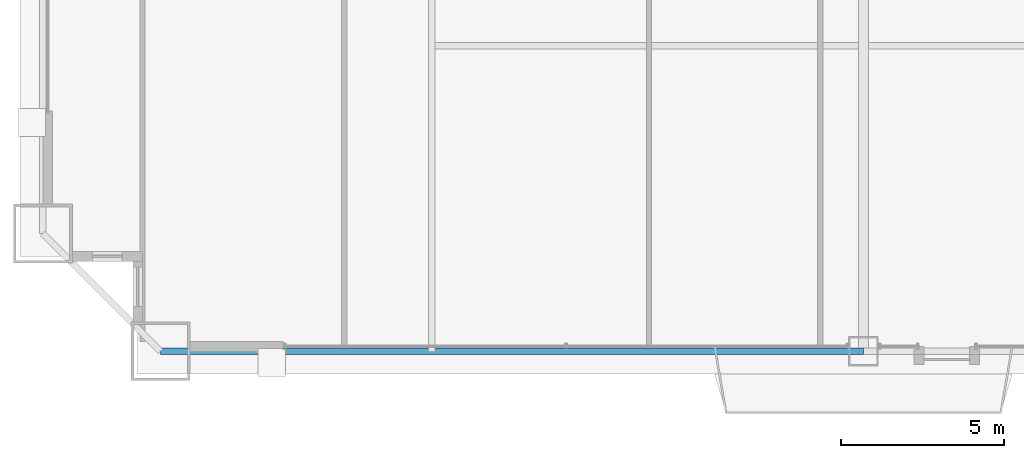
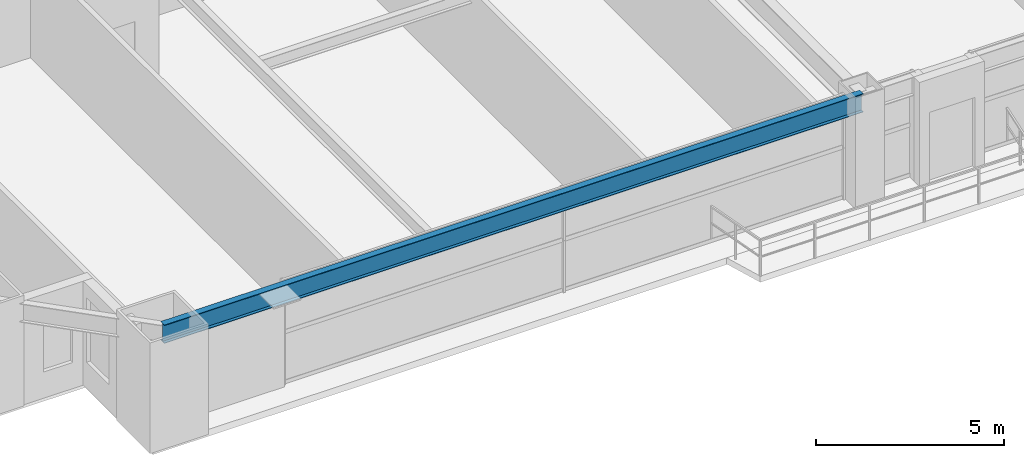
# One storey, part 4 of 46: 1 beam.
"""IFC4 building model written with IfcOpenShell, lengths in metres."""

from ifc_helpers import new_model, si_unit, direction, frame, origin, origin_2d, place, context, subcontext, project, spatial, i_section, extrude, source, transform, mapped, material, material_profile, profile_set, type_object, element, save


model = new_model("IFC4")

# Units and contexts
model_context = context("Model", 3, precision=1e-05, world=origin(), true_north=direction((0.0, 1.0)))
body_context = subcontext(model_context, "Body", "Model", "MODEL_VIEW")
ifc_project = project(units=[si_unit("LENGTHUNIT", "METRE"), si_unit("AREAUNIT", "SQUARE_METRE"), si_unit("VOLUMEUNIT", "CUBIC_METRE"), si_unit("PLANEANGLEUNIT", "RADIAN"), si_unit("MASSUNIT", "GRAM", prefix="KILO"), si_unit("THERMODYNAMICTEMPERATUREUNIT", "KELVIN"), si_unit("POWERUNIT", "WATT")], contexts=[model_context])

# Site, building, storey
site_placement = place(None, origin())
site = spatial("IfcSite", under=ifc_project, at=site_placement, CompositionType="ELEMENT")
building_placement = place(site_placement, origin())
building = spatial("IfcBuilding", under=site, at=building_placement, Name="Yuzanri Waterfront Tower", CompositionType="ELEMENT")
storey_placement = place(building_placement, frame((0.0, 0.0, 56.800048828125)))
storey = spatial("IfcBuildingStorey", under=building, at=storey_placement, Name="L14", CompositionType="ELEMENT", Elevation=56.800048828125)

# Beam
ifc_material = material(Name="Steel Q355B", Category="steel")
ifc_material_profile = material_profile(ifc_material, i_section(OverallWidth=0.199951171875, OverallDepth=0.60009765625, WebThickness=0.010986328125, FlangeThickness=0.01708984375, at=origin_2d()), Name="HN 600x200x11x17")
ifc_profile_set = profile_set([ifc_material_profile], Name="Steel Q355B")
beam_type = type_object("IfcBeamType", Name="Perimeter Spandrel Q355B HN 600x200", PredefinedType="SPANDREL", material=ifc_profile_set)
shared_shape = source(origin(), body_context, "Body", "SweptSolid", [
    extrude(i_section(OverallWidth=0.199951171875, OverallDepth=0.60009765625, WebThickness=0.010986328125, FlangeThickness=0.01708984375, at=origin_2d()), origin(), (0.0, 0.0, 1.0), 21.5),
])
beam_placement = place(storey_placement, frame((15.5, 0.699951171875, 3.079833984375), z_axis=(1.0, 0.0, 0.0), x_axis=(0.0, 1.0, 0.0)))
element("IfcBeam", 1, at=beam_placement, inside=storey, type_object=beam_type, Name="L14 Perimeter Spandrel S1-S2", PredefinedType="SPANDREL", context=body_context, shape_type="MappedRepresentation", body=[
    mapped(shared_shape, transform((0.0, 0.0, 0.0), scale=1.0)),
])

save(model, "model.ifc")
